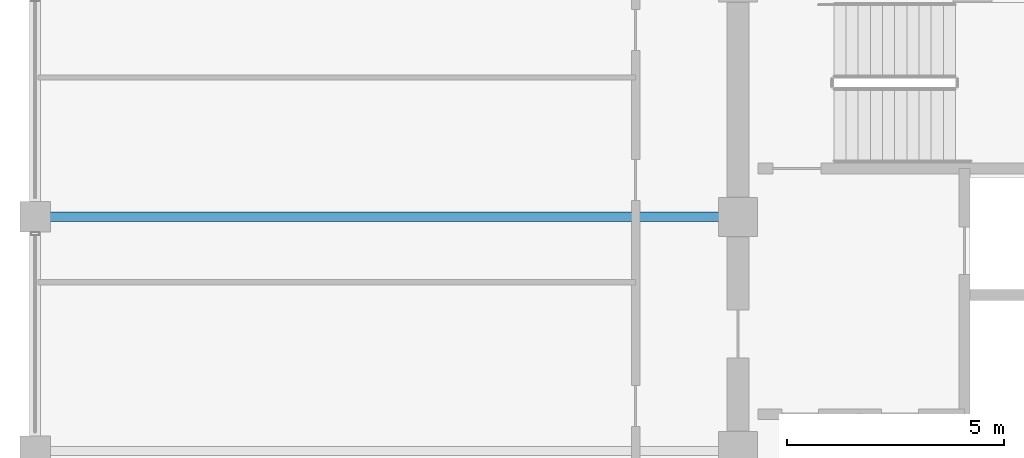
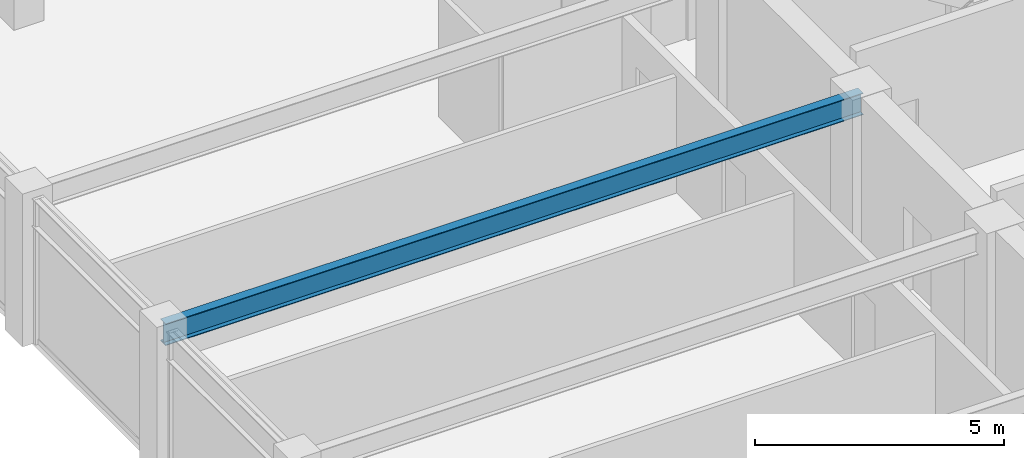
# One storey, part 11 of 31: 1 beam.
"""IFC4 building model written with IfcOpenShell, lengths in metres."""

import ifcopenshell
import ifcopenshell.guid

model = None  # the IFC model being written
_history = None  # IfcOwnerHistory: only IFC2X3 demands one
_inside = {}  # id of a spatial element -> (the spatial element, [elements in it])
_under = {}  # id of a project, library or spatial element -> (it, [spatial elements below it])
_declared = {}  # id of a project -> (the project, [libraries it declares])
_typed = {}  # id of a type object -> (the type object, [elements of that type])
_made_of = {}  # id of a material, layer set ... -> (it, [elements and type objects made of it])


def new_model(schema):
    """Start an empty IFC model of exactly this schema.

    Asked for "IFC4X3", IfcOpenShell would pick the latest addendum, in which some entities
    have other attributes; the version numbers below select the first issue.
    IFC2X3 requires an IfcOwnerHistory on every rooted entity: one is made here for all.
    """
    global model, _history
    if schema == "IFC4X3":
        model = ifcopenshell.file(schema_version=(4, 3, 0, 0))
    else:
        model = ifcopenshell.file(schema=schema)
    _inside.clear()
    _under.clear()
    _declared.clear()
    _typed.clear()
    _made_of.clear()
    _history = None
    if model.schema == "IFC2X3":
        org = make("IfcOrganization", Name="unknown")
        user = make(
            "IfcPersonAndOrganization",
            ThePerson=make("IfcPerson", FamilyName="unknown"),
            TheOrganization=org,
        )
        app = make(
            "IfcApplication",
            ApplicationDeveloper=org,
            Version="unknown",
            ApplicationFullName="unknown",
            ApplicationIdentifier="unknown",
        )
        _history = make(
            "IfcOwnerHistory",
            OwningUser=user,
            OwningApplication=app,
            ChangeAction="ADDED",
            CreationDate=0,
        )
    return model


def make(cls, **values):
    """One entity of the class cls with the attributes given. An attribute that is None is left unset."""
    return model.create_entity(
        cls, **{name: value for name, value in values.items() if value is not None}
    )


def rooted(cls, **values):
    """An entity with a GlobalId (a new one), such as an element, a storey or a relation."""
    return make(cls, GlobalId=ifcopenshell.guid.new(), OwnerHistory=_history, **values)


def si_unit(unit_type, name, prefix=None):
    """IfcSIUnit, for example si_unit("LENGTHUNIT", "METRE", prefix="MILLI")."""
    return make("IfcSIUnit", UnitType=unit_type, Prefix=prefix, Name=name)


def assignment(units):
    """IfcUnitAssignment: the units of a project."""
    return None if units is None else make("IfcUnitAssignment", Units=units)


def point(xyz):
    """IfcCartesianPoint."""
    return None if xyz is None else make("IfcCartesianPoint", Coordinates=xyz)


def direction(xyz):
    """IfcDirection."""
    return None if xyz is None else make("IfcDirection", DirectionRatios=xyz)


def frame(location, z_axis=None, x_axis=None):
    """IfcAxis2Placement3D, a coordinate frame: its origin and axes. An axis left out is left unset."""
    return make(
        "IfcAxis2Placement3D",
        Location=point(location),
        Axis=direction(z_axis),
        RefDirection=direction(x_axis),
    )


def frame_2d(location, x_axis=None):
    """IfcAxis2Placement2D, a coordinate frame in the plane: its origin and x axis."""
    return make(
        "IfcAxis2Placement2D", Location=point(location), RefDirection=direction(x_axis)
    )


def origin():
    """The frame at (0, 0, 0) with its axes left unset."""
    return frame((0.0, 0.0, 0.0))


def origin_2d():
    """The frame at (0, 0) in the plane with its x axis left unset."""
    return frame_2d((0.0, 0.0))


def place(relative_to, where):
    """IfcLocalPlacement: puts the frame where relative to a parent placement (None: the world)."""
    return make(
        "IfcLocalPlacement", PlacementRelTo=relative_to, RelativePlacement=where
    )


def context(
    kind, dimensions, precision=None, world=None, true_north=None, identifier=None
):
    """IfcGeometricRepresentationContext, for example the 3D "Model" context."""
    return make(
        "IfcGeometricRepresentationContext",
        ContextIdentifier=identifier,
        ContextType=kind,
        CoordinateSpaceDimension=dimensions,
        Precision=precision,
        WorldCoordinateSystem=world,
        TrueNorth=true_north,
    )


def subcontext(parent, identifier, kind, view, scale=None):
    """IfcGeometricRepresentationSubContext, for example "Body" below "Model"."""
    return make(
        "IfcGeometricRepresentationSubContext",
        ContextIdentifier=identifier,
        ContextType=kind,
        ParentContext=parent,
        TargetScale=scale,
        TargetView=view,
    )


def project(units=None, contexts=None):
    """IfcProject with its units and contexts."""
    return rooted(
        "IfcProject",
        Name="project",
        RepresentationContexts=contexts,
        UnitsInContext=assignment(units),
    )


def spatial(cls, under=None, at=None, **own):
    """A site, building, storey or space (cls), placed at a placement, below another one or the project."""
    s = rooted(cls, ObjectPlacement=at, **own)
    if under is not None:
        _under.setdefault(under.id(), (under, []))[1].append(s)
    return s


def profile(cls, at=None, kind="AREA", **sizes):
    """A parametric profile (cls). Its sizes go by their IFC names, for example OverallWidth=200.0."""
    return make(cls, ProfileType=kind, Position=at, **sizes)


def i_section(**sizes):
    """IfcIShapeProfileDef."""
    return profile("IfcIShapeProfileDef", **sizes)


def extrude(swept, where, along, depth):
    """IfcExtrudedAreaSolid: the profile swept, set in the frame where, extruded along a direction by depth."""
    return make(
        "IfcExtrudedAreaSolid",
        SweptArea=swept,
        Position=where,
        ExtrudedDirection=direction(along),
        Depth=depth,
    )


def shape(context_of_items, identifier, shape_type, items):
    """IfcShapeRepresentation: the items that make up one representation, for example the "Body"."""
    return make(
        "IfcShapeRepresentation",
        ContextOfItems=context_of_items,
        RepresentationIdentifier=identifier,
        RepresentationType=shape_type,
        Items=items,
    )


def material(Name=None, Category=None):
    """IfcMaterial."""
    return make("IfcMaterial", Name=Name, Category=Category)


def material_profile(
    of_material, cross_section, Name=None, Category=None, Priority=None
):
    """IfcMaterialProfile: a cross section and its material."""
    return make(
        "IfcMaterialProfile",
        Name=Name,
        Material=of_material,
        Profile=cross_section,
        Priority=Priority,
        Category=Category,
    )


def profile_set(profiles, Name=None, composite=None):
    """IfcMaterialProfileSet."""
    return make(
        "IfcMaterialProfileSet",
        Name=Name,
        MaterialProfiles=profiles,
        CompositeProfile=composite,
    )


def made_of(thing, what):
    """Note that an element or type object is made of a material, layer set ...; save() writes the relation."""
    if what is not None:
        _made_of.setdefault(what.id(), (what, []))[1].append(thing)
    return thing


def type_object(cls, material=None, **own):
    """A type object (cls), such as IfcWallType, which elements share."""
    return made_of(rooted(cls, **own), material)


def element(
    cls,
    number,
    at=None,
    inside=None,
    cuts=None,
    type_object=None,
    material=None,
    context=None,
    identifier="Body",
    shape_type=None,
    held_by="IfcProductDefinitionShape",
    body=None,
    shapes=None,
    **own,
):
    """One element of the class cls, such as IfcWall. Its Tag is "e" and its number.

    at: its placement. inside: the storey or other place that contains it. cuts: it is an
    opening in that element (IfcRelVoidsElement). A single representation is given by context,
    identifier, shape_type and body (its items); several are given by shapes. held_by: the class
    of the entity that holds the representations. save() writes the other relations.
    """
    e = rooted(cls, Tag="e%d" % number, ObjectPlacement=at, **own)
    if body is not None:
        shapes = [shape(context, identifier, shape_type, body)]
    if shapes is not None:
        e.Representation = make(held_by, Representations=shapes)
    if inside is not None:
        _inside.setdefault(inside.id(), (inside, []))[1].append(e)
    if cuts is not None:
        rooted(
            "IfcRelVoidsElement", RelatingBuildingElement=cuts, RelatedOpeningElement=e
        )
    if type_object is not None:
        _typed.setdefault(type_object.id(), (type_object, []))[1].append(e)
    return made_of(e, material)


def aggregate(whole, parts):
    """IfcRelAggregates: a whole, such as a stair, and the parts it consists of."""
    return rooted("IfcRelAggregates", RelatingObject=whole, RelatedObjects=parts)


def save(model, path):
    """Write the relations noted so far, then the file.

    IfcRelAggregates (storeys below a building ...), IfcRelContainedInSpatialStructure (elements
    in a storey), IfcRelDefinesByType, IfcRelAssociatesMaterial and IfcRelDeclares: one each for
    every whole, place, type object, material and project.
    """
    for whole, parts in _under.values():
        aggregate(whole, parts)
    for where, things in _inside.values():
        rooted(
            "IfcRelContainedInSpatialStructure",
            RelatedElements=things,
            RelatingStructure=where,
        )
    for kind, things in _typed.values():
        rooted("IfcRelDefinesByType", RelatedObjects=things, RelatingType=kind)
    for what, things in _made_of.values():
        rooted("IfcRelAssociatesMaterial", RelatedObjects=things, RelatingMaterial=what)
    for by, libraries in _declared.values():
        rooted("IfcRelDeclares", RelatingContext=by, RelatedDefinitions=libraries)
    model.write(path)


model = new_model("IFC4")

# Units and contexts
model_context = context("Model", 3, precision=1e-05, world=origin(), true_north=direction((0.0, 1.0)))
body_context = subcontext(model_context, "Body", "Model", "MODEL_VIEW")
ifc_project = project(units=[si_unit("LENGTHUNIT", "METRE"), si_unit("AREAUNIT", "SQUARE_METRE"), si_unit("VOLUMEUNIT", "CUBIC_METRE"), si_unit("PLANEANGLEUNIT", "RADIAN"), si_unit("MASSUNIT", "GRAM", prefix="KILO")], contexts=[model_context])

# Site, building, storey
site_placement = place(None, origin())
site = spatial("IfcSite", under=ifc_project, at=site_placement, CompositionType="ELEMENT")
building_placement = place(site_placement, origin())
building = spatial("IfcBuilding", under=site, at=building_placement, Name="Surkhivell Harbour Commons", CompositionType="ELEMENT")
storey_placement = place(building_placement, frame((0.0, 0.0, 288.75)))
storey = spatial("IfcBuildingStorey", under=building, at=storey_placement, Name="L75", CompositionType="ELEMENT", Elevation=288.75)

# Beam
ifc_material = material(Name="Steel S355", Category="steel")
ifc_material_profile = material_profile(ifc_material, i_section(OverallWidth=0.2099609375, OverallDepth=0.537109375, WebThickness=0.0107421875, FlangeThickness=0.017333984375, at=origin_2d()), Name="UB533x210x101")
ifc_profile_set = profile_set([ifc_material_profile], Name="Steel S355")
beam_type = type_object("IfcBeamType", Name="BM-GRD-533B", PredefinedType="BEAM", material=ifc_profile_set)
beam_placement = place(storey_placement, frame((-27.0, 5.39990234375, 3.301513671875), z_axis=(1.0, 0.0, 0.0), x_axis=(0.0, 1.0, 0.0)))
element("IfcBeam", 1, at=beam_placement, inside=storey, type_object=beam_type, Name="L75 Floor Girder (-27.0,5.4)", PredefinedType="BEAM", context=body_context, shape_type="SweptSolid", body=[
    extrude(i_section(OverallWidth=0.2099609375, OverallDepth=0.537109375, WebThickness=0.0107421875, FlangeThickness=0.017333984375, at=origin_2d()), origin(), (0.0, 0.0, 1.0), 16.199951171875),
])

save(model, "model.ifc")
